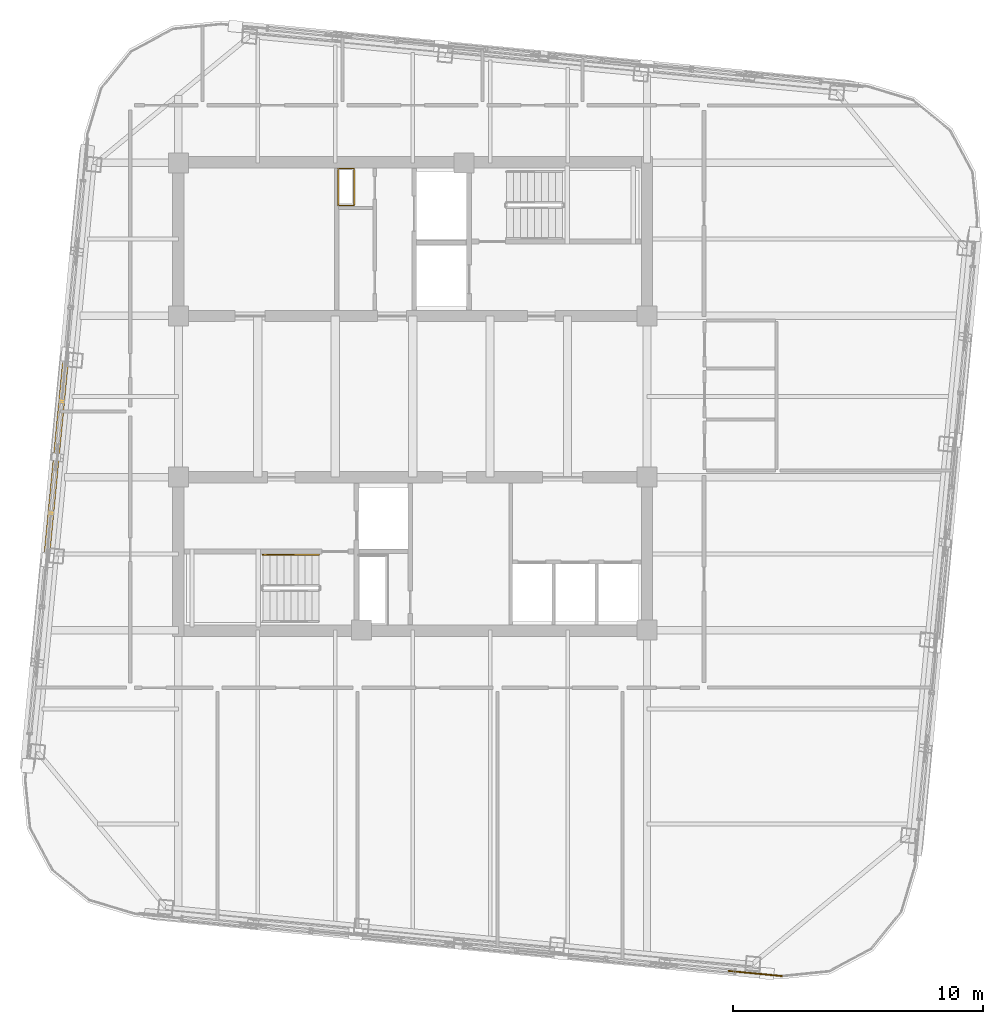
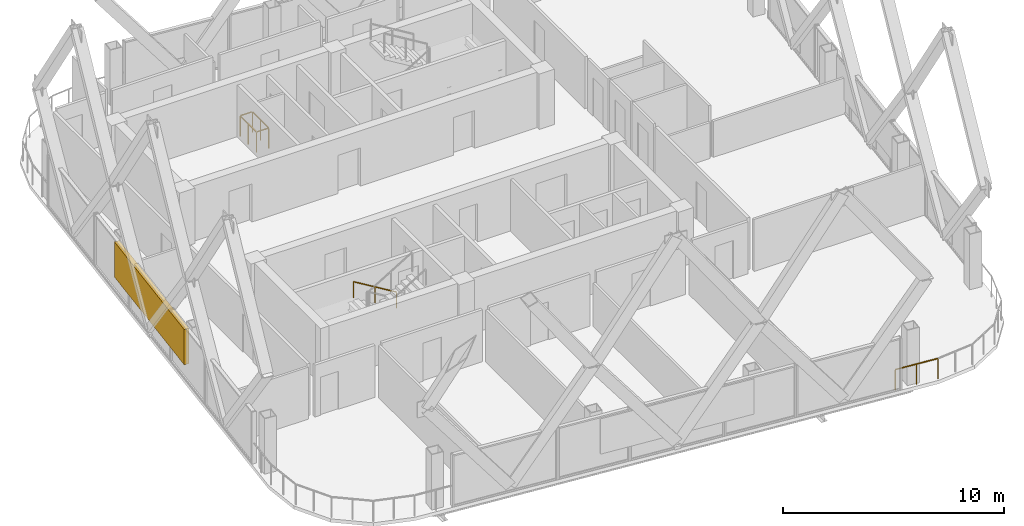
# One storey, part 23 of 25: 3 railings, 1 shading device.
"""IFC4 building model written with IfcOpenShell, lengths in metres."""

from ifc_helpers import new_model, si_unit, direction, frame, origin, origin_2d, place, context, subcontext, project, spatial, rectangle, extrude, material, type_object, element, save


model = new_model("IFC4")

# Units and contexts
model_context = context("Model", 3, precision=1e-05, world=origin(), true_north=direction((0.0, 1.0)))
body_context = subcontext(model_context, "Body", "Model", "MODEL_VIEW")
ifc_project = project(units=[si_unit("LENGTHUNIT", "METRE"), si_unit("AREAUNIT", "SQUARE_METRE"), si_unit("VOLUMEUNIT", "CUBIC_METRE"), si_unit("PLANEANGLEUNIT", "RADIAN"), si_unit("MASSUNIT", "GRAM", prefix="KILO")], contexts=[model_context])

# Site, building, storey
site_placement = place(None, origin())
site = spatial("IfcSite", under=ifc_project, at=site_placement, CompositionType="ELEMENT")
building_placement = place(site_placement, origin())
building = spatial("IfcBuilding", under=site, at=building_placement, Name="Qhalaya Broadcast Tower", CompositionType="ELEMENT")
storey_placement = place(building_placement, frame((0.0, 0.0, 255.050048828125)))
storey = spatial("IfcBuildingStorey", under=building, at=storey_placement, Name="L75", CompositionType="ELEMENT", Elevation=255.050048828125)

# Railings
ifc_material_1 = material(Name="Powder-Coated Galvanised Steel", Category="steel")
railing_type_1 = type_object("IfcRailingType", Name="Stair Wall Handrail 900", PredefinedType="HANDRAIL", material=ifc_material_1)
railing_1_placement = place(storey_placement, frame((-3.75, -5.72998046875, 0.16943359375)))
element("IfcRailing", 1, at=railing_1_placement, inside=storey, type_object=railing_type_1, Name="L75 ST-2 Stair Handrail 1", PredefinedType="HANDRAIL", context=body_context, shape_type="SweptSolid", body=[
    extrude(rectangle(XDim=0.048095703125, YDim=0.048095703125, at=origin_2d()), frame((0.0, 0.0, 0.8759765625), z_axis=(-0.855553338991, 0.0, 0.51771467445), x_axis=(0.0, -1.0, 0.0)), (0.0, 0.0, 1.0), 2.6181640625),
    extrude(rectangle(XDim=0.0419921875, YDim=0.0419921875, at=origin_2d()), origin(), (0.0, 0.0, 1.0), 0.849853515625),
    extrude(rectangle(XDim=0.0419921875, YDim=0.0419921875, at=origin_2d()), frame((-1.1201171875, 0.0, 0.677734375)), (0.0, 0.0, 1.0), 0.849853515625),
    extrude(rectangle(XDim=0.0419921875, YDim=0.0419921875, at=origin_2d()), frame((-2.239990234375, 0.0, 1.35546875)), (0.0, 0.0, 1.0), 0.849853515625),
])
railing_type_2 = type_object("IfcRailingType", Name="Stair Well & Landing Guardrail 1100", PredefinedType="GUARDRAIL", material=ifc_material_1)
railing_2_placement = place(storey_placement, frame((-2.340087890625, 8.239990234375, 0.0)))
element("IfcRailing", 2, at=railing_2_placement, inside=storey, type_object=railing_type_2, Name="L75 Service Riser Opening Safety Guard NRSR", PredefinedType="GUARDRAIL", context=body_context, shape_type="SweptSolid", body=[
    extrude(rectangle(XDim=0.048095703125, YDim=0.048095703125, at=origin_2d()), frame((0.0, 0.02880859375, 1.1259765625), z_axis=(0.0, 1.0, 0.0), x_axis=(-1.0, 0.0, 0.0)), (0.0, 0.0, 1.0), 1.42236328125),
    extrude(rectangle(XDim=0.048095703125, YDim=0.048095703125, at=origin_2d()), frame((-0.02880859375, 1.47998046875, 1.1259765625), z_axis=(-1.0, 0.0, 0.0), x_axis=(0.0, -1.0, 0.0)), (0.0, 0.0, 1.0), 0.582275390625),
    extrude(rectangle(XDim=0.048095703125, YDim=0.048095703125, at=origin_2d()), frame((-0.639892578125, 1.451171875, 1.1259765625), z_axis=(0.0, -1.0, 0.0), x_axis=(1.0, 0.0, 0.0)), (0.0, 0.0, 1.0), 1.42236328125),
    extrude(rectangle(XDim=0.048095703125, YDim=0.048095703125, at=origin_2d()), frame((-0.611083984375, 0.0, 1.1259765625), z_axis=(1.0, 0.0, 0.0), x_axis=(0.0, 1.0, 0.0)), (0.0, 0.0, 1.0), 0.582275390625),
    extrude(rectangle(XDim=0.0419921875, YDim=0.0419921875, at=origin_2d()), origin(), (0.0, 0.0, 1.0), 1.099853515625),
    extrude(rectangle(XDim=0.0419921875, YDim=0.0419921875, at=origin_2d()), frame((0.0, 0.739990234375, 0.0)), (0.0, 0.0, 1.0), 1.099853515625),
    extrude(rectangle(XDim=0.0419921875, YDim=0.0419921875, at=origin_2d()), frame((0.0, 1.47998046875, 0.0)), (0.0, 0.0, 1.0), 1.099853515625),
    extrude(rectangle(XDim=0.0419921875, YDim=0.0419921875, at=origin_2d()), frame((-0.639892578125, 1.47998046875, 0.0)), (0.0, 0.0, 1.0), 1.099853515625),
    extrude(rectangle(XDim=0.0419921875, YDim=0.0419921875, at=origin_2d()), frame((-0.639892578125, 0.739990234375, 0.0)), (0.0, 0.0, 1.0), 1.099853515625),
    extrude(rectangle(XDim=0.0419921875, YDim=0.0419921875, at=origin_2d()), frame((-0.639892578125, 0.0, 0.0)), (0.0, 0.0, 1.0), 1.099853515625),
])
railing_type_3 = type_object("IfcRailingType", Name="Terrace, Sky-Pool & Lookout Glass Balustrade 1150", PredefinedType="BALUSTRADE", material=ifc_material_1)
railing_3_placement = place(storey_placement, frame((14.754638671875, -22.58251953125, 0.0)))
element("IfcRailing", 3, at=railing_3_placement, inside=storey, type_object=railing_type_3, Name="L75 Rounded Corner Perimeter Guard 01", PredefinedType="BALUSTRADE", context=body_context, shape_type="SweptSolid", body=[
    extrude(rectangle(XDim=0.048095703125, YDim=0.048095703125, at=origin_2d()), frame((0.0, 0.0, 1.1259765625), z_axis=(-0.995391273094, 0.095896889673, 0.0), x_axis=(-0.095896889673, -0.995391273094, 0.0)), (0.0, 0.0, 1.0), 2.1181640625),
    extrude(rectangle(XDim=0.0419921875, YDim=0.0419921875, at=origin_2d()), origin(), (0.0, 0.0, 1.0), 1.099853515625),
    extrude(rectangle(XDim=0.0419921875, YDim=0.0419921875, at=origin_2d()), frame((-1.05419921875, 0.1015625, 0.0)), (0.0, 0.0, 1.0), 1.099853515625),
    extrude(rectangle(XDim=0.0419921875, YDim=0.0419921875, at=origin_2d()), frame((-2.1083984375, 0.203125, 0.0)), (0.0, 0.0, 1.0), 1.099853515625),
])

# Shading device
ifc_material_2 = material(Name="Fired Architectural Terracotta", Category="masonry")
shading_device_type = type_object("IfcShadingDeviceType", Name="Terracotta Baguette Solar Screen Assembly TBS-01", PredefinedType="USERDEFINED", material=ifc_material_2)
shading_device_placement = place(storey_placement, frame((-14.2578125, -1.826171875, 0.80078125), z_axis=(0.0, 0.0, 1.0), x_axis=(-0.09584575252, -0.995396198367, 0.0)))
element("IfcShadingDevice", 4, at=shading_device_placement, inside=storey, type_object=shading_device_type, Name="L75 Fired Terracotta Baguette Screen W", ObjectType="BAGUETTE", PredefinedType="USERDEFINED", context=body_context, shape_type="SweptSolid", body=[
    extrude(rectangle(XDim=7.60009765625, YDim=0.239990234375, at=origin_2d()), origin(), (0.0, 0.0, 1.0), 1.945068359375),
])

save(model, "model.ifc")
